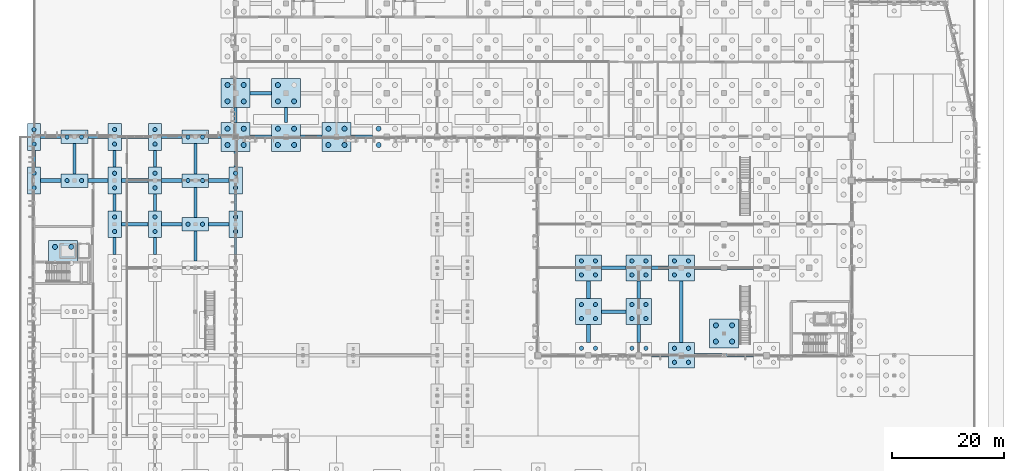
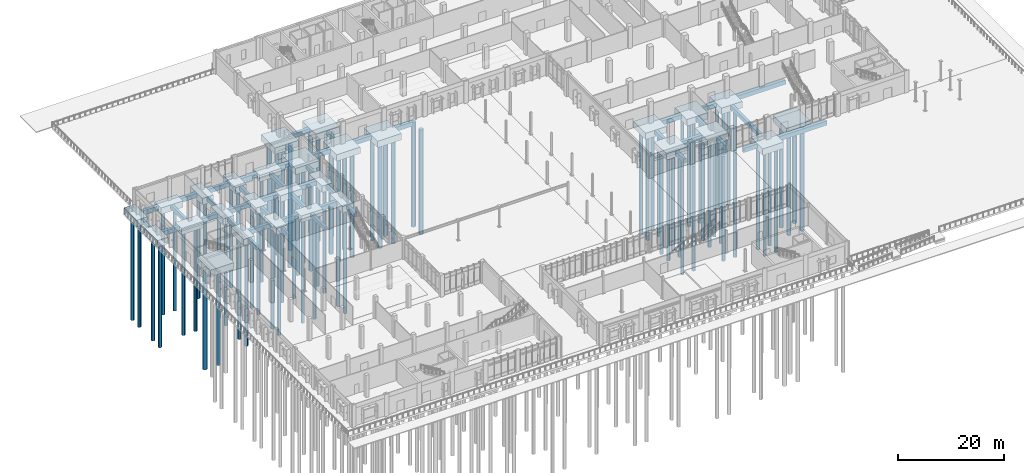
# One storey, part 8 of 94: 85 piles, 72 footings.
"""IFC4 building model written with IfcOpenShell, lengths in metres."""

from ifc_helpers import new_model, si_unit, direction, frame, origin, origin_2d, place, context, subcontext, project, spatial, rectangle, circle, extrude, material, material_profile, profile_set, type_object, element, save


model = new_model("IFC4")

# Units and contexts
model_context = context("Model", 3, precision=1e-05, world=origin(), true_north=direction((0.0, 1.0)))
body_context = subcontext(model_context, "Body", "Model", "MODEL_VIEW")
ifc_project = project(units=[si_unit("LENGTHUNIT", "METRE"), si_unit("AREAUNIT", "SQUARE_METRE"), si_unit("VOLUMEUNIT", "CUBIC_METRE"), si_unit("PLANEANGLEUNIT", "RADIAN"), si_unit("MASSUNIT", "GRAM", prefix="KILO")], contexts=[model_context])

# Site, building, storey
site_placement = place(None, origin())
site = spatial("IfcSite", under=ifc_project, at=site_placement, CompositionType="ELEMENT")
building_placement = place(site_placement, origin())
building = spatial("IfcBuilding", under=site, at=building_placement, Name="Vervanel Yard Central Library", CompositionType="ELEMENT")
storey_placement = place(building_placement, origin())
storey = spatial("IfcBuildingStorey", under=building, at=storey_placement, Name="L00", CompositionType="ELEMENT", Elevation=0.0)

# Piles
ifc_material = material(Name="Concrete C40/50", Category="concrete")
ifc_material_profile_1 = material_profile(ifc_material, circle(Radius=0.375, at=origin_2d()), Name="BP D750", Category="concrete")
ifc_profile_set_1 = profile_set([ifc_material_profile_1], Name="Concrete C40/50")
pile_type_1 = type_object("IfcPileType", Name="Bored Concrete Pile D750", PredefinedType="BORED", material=ifc_profile_set_1)
for number, where, z_axis, x_axis, name in (
    (1, (97.75, 44.449951171875, -1.75), (0.0, 0.0, -1.0), (1.0, 0.0, 0.0), "Bored Concrete Pile 291 under PCAP-071"),
    (2, (100.25, 44.449951171875, -1.75), (0.0, 0.0, -1.0), (1.0, 0.0, 0.0), "Bored Concrete Pile 292 under PCAP-071"),
    (3, (97.75, 49.75, -1.75), (0.0, 0.0, -1.0), (1.0, 0.0, 0.0), "Bored Concrete Pile 293 under PCAP-072"),
    (4, (100.25, 49.75, -1.75), (0.0, 0.0, -1.0), (1.0, 0.0, 0.0), "Bored Concrete Pile 294 under PCAP-072"),
    (5, (97.75, 52.25, -1.75), (0.0, 0.0, -1.0), (1.0, 0.0, 0.0), "Bored Concrete Pile 295 under PCAP-072"),
    (6, (100.25, 52.25, -1.75), (0.0, 0.0, -1.0), (1.0, 0.0, 0.0), "Bored Concrete Pile 296 under PCAP-072"),
    (7, (97.75, 57.550048828125, -1.75), (0.0, 0.0, -1.0), (1.0, 0.0, 0.0), "Bored Concrete Pile 297 under PCAP-073"),
    (8, (100.25, 57.550048828125, -1.75), (0.0, 0.0, -1.0), (1.0, 0.0, 0.0), "Bored Concrete Pile 298 under PCAP-073"),
    (9, (97.75, 60.050048828125, -1.75), (0.0, 0.0, -1.0), (1.0, 0.0, 0.0), "Bored Concrete Pile 299 under PCAP-073"),
    (10, (100.25, 60.050048828125, -1.75), (0.0, 0.0, -1.0), (1.0, 0.0, 0.0), "Bored Concrete Pile 300 under PCAP-073"),
    (11, (106.75, 44.449951171875, -1.75), (0.0, 0.0, -1.0), (1.0, 0.0, 0.0), "Bored Concrete Pile 315 under PCAP-077"),
    (12, (109.25, 44.449951171875, -1.75), (0.0, 0.0, -1.0), (1.0, 0.0, 0.0), "Bored Concrete Pile 316 under PCAP-077"),
    (13, (106.75, 49.75, -1.75), (0.0, 0.0, -1.0), (1.0, 0.0, 0.0), "Bored Concrete Pile 317 under PCAP-078"),
    (14, (109.25, 49.75, -1.75), (0.0, 0.0, -1.0), (1.0, 0.0, 0.0), "Bored Concrete Pile 318 under PCAP-078"),
    (15, (106.75, 52.25, -1.75), (0.0, 0.0, -1.0), (1.0, 0.0, 0.0), "Bored Concrete Pile 319 under PCAP-078"),
    (16, (109.25, 52.25, -1.75), (0.0, 0.0, -1.0), (1.0, 0.0, 0.0), "Bored Concrete Pile 320 under PCAP-078"),
    (17, (106.75, 57.550048828125, -1.75), (0.0, 0.0, -1.0), (1.0, 0.0, 0.0), "Bored Concrete Pile 321 under PCAP-079"),
    (18, (109.25, 57.550048828125, -1.75), (0.0, 0.0, -1.0), (1.0, 0.0, 0.0), "Bored Concrete Pile 322 under PCAP-079"),
    (19, (106.75, 60.050048828125, -1.75), (0.0, 0.0, -1.0), (1.0, 0.0, 0.0), "Bored Concrete Pile 323 under PCAP-079"),
    (20, (109.25, 60.050048828125, -1.75), (0.0, 0.0, -1.0), (1.0, 0.0, 0.0), "Bored Concrete Pile 324 under PCAP-079"),
    (21, (114.35009765625, 41.949951171875, -1.75), (0.0, 0.0, -1.0), (1.0, 0.0, 0.0), "Bored Concrete Pile 337 under PCAP-083"),
    (22, (116.85009765625, 41.949951171875, -1.75), (0.0, 0.0, -1.0), (1.0, 0.0, 0.0), "Bored Concrete Pile 338 under PCAP-083"),
    (23, (114.35009765625, 44.449951171875, -1.75), (0.0, 0.0, -1.0), (1.0, 0.0, 0.0), "Bored Concrete Pile 339 under PCAP-083"),
    (24, (116.85009765625, 44.449951171875, -1.75), (0.0, 0.0, -1.0), (1.0, 0.0, 0.0), "Bored Concrete Pile 340 under PCAP-083"),
    (25, (114.35009765625, 57.550048828125, -1.75), (0.0, 0.0, -1.0), (1.0, 0.0, 0.0), "Bored Concrete Pile 341 under PCAP-084"),
    (26, (116.85009765625, 57.550048828125, -1.75), (0.0, 0.0, -1.0), (1.0, 0.0, 0.0), "Bored Concrete Pile 342 under PCAP-084"),
    (27, (114.35009765625, 60.050048828125, -1.75), (0.0, 0.0, -1.0), (1.0, 0.0, 0.0), "Bored Concrete Pile 343 under PCAP-084"),
    (28, (116.85009765625, 60.050048828125, -1.75), (0.0, 0.0, -1.0), (1.0, 0.0, 0.0), "Bored Concrete Pile 344 under PCAP-084"),
    (29, (0.0, 73.10009765625, -1.75), (0.0, 0.0, -1.0), (1.0, 0.0, 0.0), "Bored Concrete Pile 419 under PCAP-107"),
    (30, (0.0, 75.699951171875, -1.75), (0.0, 0.0, -1.0), (1.0, 0.0, 0.0), "Bored Concrete Pile 420 under PCAP-107"),
    (31, (0.0, 80.89990234375, -1.75), (0.0, 0.0, -1.0), (1.0, 0.0, 0.0), "Bored Concrete Pile 421 under PCAP-108"),
    (32, (0.0, 83.5, -1.75), (0.0, 0.0, -1.0), (1.0, 0.0, 0.0), "Bored Concrete Pile 422 under PCAP-108"),
    (33, (14.39990234375, 65.300048828125, -1.75), (0.0, 0.0, -1.0), (1.0, 0.0, 0.0), "Bored Concrete Pile 437 under PCAP-116"),
    (34, (14.39990234375, 67.89990234375, -1.75), (0.0, 0.0, -1.0), (1.0, 0.0, 0.0), "Bored Concrete Pile 438 under PCAP-116"),
    (35, (14.39990234375, 73.10009765625, -1.75), (0.0, 0.0, -1.0), (1.0, 0.0, 0.0), "Bored Concrete Pile 439 under PCAP-117"),
    (36, (14.39990234375, 75.699951171875, -1.75), (0.0, 0.0, -1.0), (1.0, 0.0, 0.0), "Bored Concrete Pile 440 under PCAP-117"),
    (37, (14.39990234375, 80.89990234375, -1.75), (0.0, 0.0, -1.0), (1.0, 0.0, 0.0), "Bored Concrete Pile 441 under PCAP-118"),
    (38, (14.39990234375, 83.5, -1.75), (0.0, 0.0, -1.0), (1.0, 0.0, 0.0), "Bored Concrete Pile 442 under PCAP-118"),
    (39, (21.60009765625, 65.300048828125, -1.75), (0.0, 0.0, -1.0), (1.0, 0.0, 0.0), "Bored Concrete Pile 455 under PCAP-125"),
    (40, (21.60009765625, 67.89990234375, -1.75), (0.0, 0.0, -1.0), (1.0, 0.0, 0.0), "Bored Concrete Pile 456 under PCAP-125"),
    (41, (21.60009765625, 73.10009765625, -1.75), (0.0, 0.0, -1.0), (1.0, 0.0, 0.0), "Bored Concrete Pile 457 under PCAP-126"),
    (42, (21.60009765625, 75.699951171875, -1.75), (0.0, 0.0, -1.0), (1.0, 0.0, 0.0), "Bored Concrete Pile 458 under PCAP-126"),
    (43, (21.60009765625, 80.89990234375, -1.75), (0.0, 0.0, -1.0), (1.0, 0.0, 0.0), "Bored Concrete Pile 459 under PCAP-127"),
    (44, (21.60009765625, 83.5, -1.75), (0.0, 0.0, -1.0), (1.0, 0.0, 0.0), "Bored Concrete Pile 460 under PCAP-127"),
    (45, (36.0, 65.300048828125, -1.75), (0.0, 0.0, -1.0), (1.0, 0.0, 0.0), "Bored Concrete Pile 479 under PCAP-137"),
    (46, (36.0, 67.89990234375, -1.75), (0.0, 0.0, -1.0), (1.0, 0.0, 0.0), "Bored Concrete Pile 480 under PCAP-137"),
    (47, (36.0, 73.10009765625, -1.75), (0.0, 0.0, -1.0), (1.0, 0.0, 0.0), "Bored Concrete Pile 481 under PCAP-138"),
    (48, (36.0, 75.699951171875, -1.75), (0.0, 0.0, -1.0), (1.0, 0.0, 0.0), "Bored Concrete Pile 482 under PCAP-138"),
    (49, (5.89990234375, 74.39990234375, -1.75), (0.0, 0.0, -1.0), (1.0, 0.0, 0.0), "Bored Concrete Pile 549 under PCAP-172"),
    (50, (8.5, 74.39990234375, -1.75), (0.0, 0.0, -1.0), (1.0, 0.0, 0.0), "Bored Concrete Pile 550 under PCAP-172"),
    (51, (5.89990234375, 82.199951171875, -1.75), (0.0, 0.0, -1.0), (1.0, 0.0, 0.0), "Bored Concrete Pile 551 under PCAP-173"),
    (52, (8.5, 82.199951171875, -1.75), (0.0, 0.0, -1.0), (1.0, 0.0, 0.0), "Bored Concrete Pile 552 under PCAP-173"),
    (53, (27.5, 66.60009765625, -1.75), (0.0, 0.0, -1.0), (1.0, 0.0, 0.0), "Bored Concrete Pile 569 under PCAP-182"),
    (54, (30.10009765625, 66.60009765625, -1.75), (0.0, 0.0, -1.0), (1.0, 0.0, 0.0), "Bored Concrete Pile 570 under PCAP-182"),
    (55, (27.5, 74.39990234375, -1.75), (0.0, 0.0, -1.0), (1.0, 0.0, 0.0), "Bored Concrete Pile 571 under PCAP-183"),
    (56, (30.10009765625, 74.39990234375, -1.75), (0.0, 0.0, -1.0), (1.0, 0.0, 0.0), "Bored Concrete Pile 572 under PCAP-183"),
    (57, (27.5, 82.199951171875, -1.75), (0.0, 0.0, -1.0), (1.0, 0.0, 0.0), "Bored Concrete Pile 573 under PCAP-184"),
    (58, (30.10009765625, 82.199951171875, -1.75), (0.0, 0.0, -1.0), (1.0, 0.0, 0.0), "Bored Concrete Pile 574 under PCAP-184"),
):
    element("IfcPile", number, at=place(storey_placement, frame(where, z_axis=z_axis, x_axis=x_axis)), inside=storey, type_object=pile_type_1, Name=name, PredefinedType="BORED", context=body_context, shape_type="SweptSolid", body=[
        extrude(circle(Radius=0.375, at=origin_2d()), origin(), (0.0, 0.0, 1.0), 24.25),
    ])
ifc_material_profile_2 = material_profile(ifc_material, circle(Radius=0.449951171875, at=origin_2d()), Name="BP D900", Category="concrete")
ifc_profile_set_2 = profile_set([ifc_material_profile_2], Name="Concrete C40/50")
pile_type_2 = type_object("IfcPileType", Name="Bored Concrete Pile D900", PredefinedType="BORED", material=ifc_profile_set_2)
for number, where, z_axis, x_axis, name in (
    (59, (3.75, 62.550048828125, -1.75), (0.0, 0.0, -1.0), (1.0, 0.0, 0.0), "Bored Concrete Pile 27 under PCAP-005"),
    (60, (6.64990234375, 62.550048828125, -1.75), (0.0, 0.0, -1.0), (1.0, 0.0, 0.0), "Bored Concrete Pile 28 under PCAP-005"),
    (61, (34.550048828125, 80.75, -1.75), (0.0, 0.0, -1.0), (1.0, 0.0, 0.0), "Bored Concrete Pile 33 under PCAP-007"),
    (62, (37.449951171875, 80.75, -1.75), (0.0, 0.0, -1.0), (1.0, 0.0, 0.0), "Bored Concrete Pile 34 under PCAP-007"),
    (63, (34.550048828125, 83.64990234375, -1.75), (0.0, 0.0, -1.0), (1.0, 0.0, 0.0), "Bored Concrete Pile 35 under PCAP-007"),
    (64, (37.449951171875, 83.64990234375, -1.75), (0.0, 0.0, -1.0), (1.0, 0.0, 0.0), "Bored Concrete Pile 36 under PCAP-007"),
    (65, (34.550048828125, 88.550048828125, -1.75), (0.0, 0.0, -1.0), (1.0, 0.0, 0.0), "Bored Concrete Pile 37 under PCAP-008"),
    (66, (37.449951171875, 88.550048828125, -1.75), (0.0, 0.0, -1.0), (1.0, 0.0, 0.0), "Bored Concrete Pile 38 under PCAP-008"),
    (67, (34.550048828125, 91.449951171875, -1.75), (0.0, 0.0, -1.0), (1.0, 0.0, 0.0), "Bored Concrete Pile 39 under PCAP-008"),
    (68, (37.449951171875, 91.449951171875, -1.75), (0.0, 0.0, -1.0), (1.0, 0.0, 0.0), "Bored Concrete Pile 40 under PCAP-008"),
    (69, (43.550048828125, 80.75, -1.75), (0.0, 0.0, -1.0), (1.0, 0.0, 0.0), "Bored Concrete Pile 49 under PCAP-011"),
    (70, (46.449951171875, 80.75, -1.75), (0.0, 0.0, -1.0), (1.0, 0.0, 0.0), "Bored Concrete Pile 50 under PCAP-011"),
    (71, (43.550048828125, 83.64990234375, -1.75), (0.0, 0.0, -1.0), (1.0, 0.0, 0.0), "Bored Concrete Pile 51 under PCAP-011"),
    (72, (46.449951171875, 83.64990234375, -1.75), (0.0, 0.0, -1.0), (1.0, 0.0, 0.0), "Bored Concrete Pile 52 under PCAP-011"),
    (73, (43.550048828125, 88.550048828125, -1.75), (0.0, 0.0, -1.0), (1.0, 0.0, 0.0), "Bored Concrete Pile 53 under PCAP-012"),
    (74, (46.449951171875, 88.550048828125, -1.75), (0.0, 0.0, -1.0), (1.0, 0.0, 0.0), "Bored Concrete Pile 54 under PCAP-012"),
    (75, (43.550048828125, 91.449951171875, -1.75), (0.0, 0.0, -1.0), (1.0, 0.0, 0.0), "Bored Concrete Pile 55 under PCAP-012"),
    (76, (52.550048828125, 80.75, -1.75), (0.0, 0.0, -1.0), (1.0, 0.0, 0.0), "Bored Concrete Pile 69 under PCAP-016"),
    (77, (55.449951171875, 80.75, -1.75), (0.0, 0.0, -1.0), (1.0, 0.0, 0.0), "Bored Concrete Pile 70 under PCAP-016"),
    (78, (52.550048828125, 83.64990234375, -1.75), (0.0, 0.0, -1.0), (1.0, 0.0, 0.0), "Bored Concrete Pile 71 under PCAP-016"),
    (79, (55.449951171875, 83.64990234375, -1.75), (0.0, 0.0, -1.0), (1.0, 0.0, 0.0), "Bored Concrete Pile 72 under PCAP-016"),
    (80, (61.550048828125, 80.75, -1.75), (0.0, 0.0, -1.0), (1.0, 0.0, 0.0), "Bored Concrete Pile 81 under PCAP-019"),
    (81, (61.550048828125, 83.64990234375, -1.75), (0.0, 0.0, -1.0), (1.0, 0.0, 0.0), "Bored Concrete Pile 83 under PCAP-019"),
    (82, (121.75, 45.64990234375, -1.75), (0.0, 0.0, -1.0), (1.0, 0.0, 0.0), "Bored Concrete Pile 197 under PCAP-048"),
    (83, (124.64990234375, 45.64990234375, -1.75), (0.0, 0.0, -1.0), (1.0, 0.0, 0.0), "Bored Concrete Pile 198 under PCAP-048"),
    (84, (121.75, 48.550048828125, -1.75), (0.0, 0.0, -1.0), (1.0, 0.0, 0.0), "Bored Concrete Pile 199 under PCAP-048"),
    (85, (124.64990234375, 48.550048828125, -1.75), (0.0, 0.0, -1.0), (1.0, 0.0, 0.0), "Bored Concrete Pile 200 under PCAP-048"),
):
    element("IfcPile", number, at=place(storey_placement, frame(where, z_axis=z_axis, x_axis=x_axis)), inside=storey, type_object=pile_type_2, Name=name, PredefinedType="BORED", context=body_context, shape_type="SweptSolid", body=[
        extrude(circle(Radius=0.449951171875, at=origin_2d()), origin(), (0.0, 0.0, 1.0), 24.25),
    ])

# Footings
footing_type_1 = type_object("IfcFootingType", Name="Combined 2-Pile Cap 2400x4800x1500", PredefinedType="PILE_CAP", material=ifc_material)
for number, where, z_axis, x_axis, name in (
    (86, (0.0, 74.39990234375, -1.89990234375), (0.0, 0.0, 1.0), (1.0, 0.0, 0.0), "Combined Pile Cap PCAP-107 (PC-01)"),
    (87, (0.0, 82.199951171875, -1.89990234375), (0.0, 0.0, 1.0), (1.0, 0.0, 0.0), "Combined Pile Cap PCAP-108 (PC-01)"),
    (88, (14.39990234375, 66.60009765625, -1.89990234375), (0.0, 0.0, 1.0), (1.0, 0.0, 0.0), "Combined Pile Cap PCAP-116 (PC-01)"),
    (89, (14.39990234375, 74.39990234375, -1.89990234375), (0.0, 0.0, 1.0), (1.0, 0.0, 0.0), "Combined Pile Cap PCAP-117 (PC-01)"),
    (90, (14.39990234375, 82.199951171875, -1.89990234375), (0.0, 0.0, 1.0), (1.0, 0.0, 0.0), "Combined Pile Cap PCAP-118 (PC-01)"),
    (91, (21.60009765625, 66.60009765625, -1.89990234375), (0.0, 0.0, 1.0), (1.0, 0.0, 0.0), "Combined Pile Cap PCAP-125 (PC-01)"),
    (92, (21.60009765625, 74.39990234375, -1.89990234375), (0.0, 0.0, 1.0), (1.0, 0.0, 0.0), "Combined Pile Cap PCAP-126 (PC-01)"),
    (93, (21.60009765625, 82.199951171875, -1.89990234375), (0.0, 0.0, 1.0), (1.0, 0.0, 0.0), "Combined Pile Cap PCAP-127 (PC-01)"),
    (94, (36.0, 66.60009765625, -1.89990234375), (0.0, 0.0, 1.0), (1.0, 0.0, 0.0), "Combined Pile Cap PCAP-137 (PC-01)"),
    (95, (36.0, 74.39990234375, -1.89990234375), (0.0, 0.0, 1.0), (1.0, 0.0, 0.0), "Combined Pile Cap PCAP-138 (PC-01)"),
):
    element("IfcFooting", number, at=place(storey_placement, frame(where, z_axis=z_axis, x_axis=x_axis)), inside=storey, type_object=footing_type_1, Name=name, PredefinedType="PILE_CAP", context=body_context, shape_type="SweptSolid", body=[
        extrude(rectangle(XDim=2.39990234375, YDim=4.800048828125, at=origin_2d()), origin(), (0.0, 0.0, 1.0), 1.5),
    ])
footing_type_2 = type_object("IfcFootingType", Name="Combined 2-Pile Cap 4800x2400x1500", PredefinedType="PILE_CAP", material=ifc_material)
for number, where, z_axis, x_axis, name in (
    (96, (7.199951171875, 74.39990234375, -1.89990234375), (0.0, 0.0, 1.0), (1.0, 0.0, 0.0), "Combined Pile Cap PCAP-172 (PC-02)"),
    (97, (7.199951171875, 82.199951171875, -1.89990234375), (0.0, 0.0, 1.0), (1.0, 0.0, 0.0), "Combined Pile Cap PCAP-173 (PC-02)"),
    (98, (28.800048828125, 66.60009765625, -1.89990234375), (0.0, 0.0, 1.0), (1.0, 0.0, 0.0), "Combined Pile Cap PCAP-182 (PC-02)"),
    (99, (28.800048828125, 74.39990234375, -1.89990234375), (0.0, 0.0, 1.0), (1.0, 0.0, 0.0), "Combined Pile Cap PCAP-183 (PC-02)"),
    (100, (28.800048828125, 82.199951171875, -1.89990234375), (0.0, 0.0, 1.0), (1.0, 0.0, 0.0), "Combined Pile Cap PCAP-184 (PC-02)"),
):
    element("IfcFooting", number, at=place(storey_placement, frame(where, z_axis=z_axis, x_axis=x_axis)), inside=storey, type_object=footing_type_2, Name=name, PredefinedType="PILE_CAP", context=body_context, shape_type="SweptSolid", body=[
        extrude(rectangle(XDim=4.800048828125, YDim=2.39990234375, at=origin_2d()), origin(), (0.0, 0.0, 1.0), 1.5),
    ])
footing_type_3 = type_object("IfcFootingType", Name="Combined 4-Pile Cap 4600x4600x1500", PredefinedType="PILE_CAP", material=ifc_material)
for number, where, z_axis, x_axis, name in (
    (101, (99.0, 51.0, -1.89990234375), (0.0, 0.0, 1.0), (1.0, 0.0, 0.0), "Combined Pile Cap PCAP-072 (PC-03)"),
    (102, (99.0, 58.800048828125, -1.89990234375), (0.0, 0.0, 1.0), (1.0, 0.0, 0.0), "Combined Pile Cap PCAP-073 (PC-03)"),
    (103, (108.0, 51.0, -1.89990234375), (0.0, 0.0, 1.0), (1.0, 0.0, 0.0), "Combined Pile Cap PCAP-078 (PC-03)"),
    (104, (108.0, 58.800048828125, -1.89990234375), (0.0, 0.0, 1.0), (1.0, 0.0, 0.0), "Combined Pile Cap PCAP-079 (PC-03)"),
    (105, (115.60009765625, 43.199951171875, -1.89990234375), (0.0, 0.0, 1.0), (1.0, 0.0, 0.0), "Combined Pile Cap PCAP-083 (PC-03)"),
    (106, (115.60009765625, 58.800048828125, -1.89990234375), (0.0, 0.0, 1.0), (1.0, 0.0, 0.0), "Combined Pile Cap PCAP-084 (PC-03)"),
):
    element("IfcFooting", number, at=place(storey_placement, frame(where, z_axis=z_axis, x_axis=x_axis)), inside=storey, type_object=footing_type_3, Name=name, PredefinedType="PILE_CAP", context=body_context, shape_type="SweptSolid", body=[
        extrude(rectangle(XDim=4.60009765625, YDim=4.60009765625, at=origin_2d()), origin(), (0.0, 0.0, 1.0), 1.5),
    ])
footing_type_4 = type_object("IfcFootingType", Name="Combined 4-Pile Heavy Cap 5200x5200x1500", PredefinedType="PILE_CAP", material=ifc_material)
for number, where, z_axis, x_axis, name in (
    (107, (5.199951171875, 61.10009765625, -1.89990234375), (0.0, 0.0, 1.0), (1.0, 0.0, 0.0), "Combined Pile Cap PCAP-005 (PC-04)"),
    (108, (36.0, 82.199951171875, -1.89990234375), (0.0, 0.0, 1.0), (1.0, 0.0, 0.0), "Combined Pile Cap PCAP-007 (PC-04)"),
    (109, (36.0, 90.0, -1.89990234375), (0.0, 0.0, 1.0), (1.0, 0.0, 0.0), "Combined Pile Cap PCAP-008 (PC-04)"),
    (110, (45.0, 82.199951171875, -1.89990234375), (0.0, 0.0, 1.0), (1.0, 0.0, 0.0), "Combined Pile Cap PCAP-011 (PC-04)"),
    (111, (45.0, 90.0, -1.89990234375), (0.0, 0.0, 1.0), (1.0, 0.0, 0.0), "Combined Pile Cap PCAP-012 (PC-04)"),
    (112, (54.0, 82.199951171875, -1.89990234375), (0.0, 0.0, 1.0), (1.0, 0.0, 0.0), "Combined Pile Cap PCAP-016 (PC-04)"),
    (113, (123.199951171875, 47.10009765625, -1.89990234375), (0.0, 0.0, 1.0), (1.0, 0.0, 0.0), "Combined Pile Cap PCAP-048 (PC-04)"),
):
    element("IfcFooting", number, at=place(storey_placement, frame(where, z_axis=z_axis, x_axis=x_axis)), inside=storey, type_object=footing_type_4, Name=name, PredefinedType="PILE_CAP", context=body_context, shape_type="SweptSolid", body=[
        extrude(rectangle(XDim=5.199951171875, YDim=5.199951171875, at=origin_2d()), origin(), (0.0, 0.0, 1.0), 1.5),
    ])
ifc_material_profile_3 = material_profile(ifc_material, rectangle(XDim=0.550048828125, YDim=0.89990234375, at=origin_2d()), Name="RC 550x900", Category="concrete")
ifc_profile_set_3 = profile_set([ifc_material_profile_3], Name="Concrete C40/50")
footing_type_5 = type_object("IfcFootingType", Name="Concrete Footing Beam 550x900", PredefinedType="FOOTING_BEAM", material=ifc_profile_set_3)
footing_1_placement = place(storey_placement, frame((0.0, 76.800048828125, -0.8701171875), z_axis=(0.0, 1.0, 0.0), x_axis=(-1.0, 0.0, 0.0)))
element("IfcFooting", 114, at=footing_1_placement, inside=storey, type_object=footing_type_5, Name="Concrete Footing Beam FB-Y-149", PredefinedType="FOOTING_BEAM", context=body_context, shape_type="SweptSolid", body=[
    extrude(rectangle(XDim=0.550048828125, YDim=0.89990234375, at=origin_2d()), origin(), (0.0, 0.0, 1.0), 3.0),
])
footing_2_placement = place(storey_placement, frame((7.199951171875, 75.60009765625, -0.8701171875), z_axis=(0.0, 1.0, 0.0), x_axis=(-1.0, 0.0, 0.0)))
element("IfcFooting", 115, at=footing_2_placement, inside=storey, type_object=footing_type_5, Name="Concrete Footing Beam FB-Y-157", PredefinedType="FOOTING_BEAM", context=body_context, shape_type="SweptSolid", body=[
    extrude(rectangle(XDim=0.550048828125, YDim=0.89990234375, at=origin_2d()), origin(), (0.0, 0.0, 1.0), 5.39990234375),
])
for number, where, z_axis, x_axis, name in (
    (116, (14.39990234375, 61.199951171875, -0.8701171875), (0.0, 1.0, 0.0), (-1.0, 0.0, 0.0), "Concrete Footing Beam FB-Y-164"),
    (117, (14.39990234375, 69.0, -0.8701171875), (0.0, 1.0, 0.0), (-1.0, 0.0, 0.0), "Concrete Footing Beam FB-Y-165"),
    (118, (14.39990234375, 76.800048828125, -0.8701171875), (0.0, 1.0, 0.0), (-1.0, 0.0, 0.0), "Concrete Footing Beam FB-Y-166"),
    (119, (21.60009765625, 61.199951171875, -0.8701171875), (0.0, 1.0, 0.0), (-1.0, 0.0, 0.0), "Concrete Footing Beam FB-Y-172"),
    (120, (21.60009765625, 69.0, -0.8701171875), (0.0, 1.0, 0.0), (-1.0, 0.0, 0.0), "Concrete Footing Beam FB-Y-173"),
    (121, (21.60009765625, 76.800048828125, -0.8701171875), (0.0, 1.0, 0.0), (-1.0, 0.0, 0.0), "Concrete Footing Beam FB-Y-174"),
):
    element("IfcFooting", number, at=place(storey_placement, frame(where, z_axis=z_axis, x_axis=x_axis)), inside=storey, type_object=footing_type_5, Name=name, PredefinedType="FOOTING_BEAM", context=body_context, shape_type="SweptSolid", body=[
        extrude(rectangle(XDim=0.550048828125, YDim=0.89990234375, at=origin_2d()), origin(), (0.0, 0.0, 1.0), 3.0),
    ])
for number, where, z_axis, x_axis, name in (
    (122, (28.800048828125, 60.0, -0.8701171875), (0.0, 1.0, 0.0), (-1.0, 0.0, 0.0), "Concrete Footing Beam FB-Y-182"),
    (123, (28.800048828125, 67.800048828125, -0.8701171875), (0.0, 1.0, 0.0), (-1.0, 0.0, 0.0), "Concrete Footing Beam FB-Y-183"),
    (124, (28.800048828125, 75.60009765625, -0.8701171875), (0.0, 1.0, 0.0), (-1.0, 0.0, 0.0), "Concrete Footing Beam FB-Y-184"),
):
    element("IfcFooting", number, at=place(storey_placement, frame(where, z_axis=z_axis, x_axis=x_axis)), inside=storey, type_object=footing_type_5, Name=name, PredefinedType="FOOTING_BEAM", context=body_context, shape_type="SweptSolid", body=[
        extrude(rectangle(XDim=0.550048828125, YDim=0.89990234375, at=origin_2d()), origin(), (0.0, 0.0, 1.0), 5.39990234375),
    ])
for number, where, z_axis, x_axis, name in (
    (125, (36.0, 61.199951171875, -0.8701171875), (0.0, 1.0, 0.0), (-1.0, 0.0, 0.0), "Concrete Footing Beam FB-Y-191"),
    (126, (36.0, 69.0, -0.8701171875), (0.0, 1.0, 0.0), (-1.0, 0.0, 0.0), "Concrete Footing Beam FB-Y-192"),
):
    element("IfcFooting", number, at=place(storey_placement, frame(where, z_axis=z_axis, x_axis=x_axis)), inside=storey, type_object=footing_type_5, Name=name, PredefinedType="FOOTING_BEAM", context=body_context, shape_type="SweptSolid", body=[
        extrude(rectangle(XDim=0.550048828125, YDim=0.89990234375, at=origin_2d()), origin(), (0.0, 0.0, 1.0), 3.0),
    ])
footing_3_placement = place(storey_placement, frame((36.0, 76.800048828125, -0.8701171875), z_axis=(0.0, 1.0, 0.0), x_axis=(-1.0, 0.0, 0.0)))
element("IfcFooting", 127, at=footing_3_placement, inside=storey, type_object=footing_type_5, Name="Concrete Footing Beam FB-Y-193", PredefinedType="FOOTING_BEAM", context=body_context, shape_type="SweptSolid", body=[
    extrude(rectangle(XDim=0.550048828125, YDim=0.89990234375, at=origin_2d()), origin(), (0.0, 0.0, 1.0), 2.800048828125),
])
for number, where, z_axis, x_axis, name in (
    (128, (36.0, 84.800048828125, -0.8701171875), (0.0, 1.0, 0.0), (-1.0, 0.0, 0.0), "Concrete Footing Beam FB-Y-194"),
    (129, (45.0, 84.800048828125, -0.8701171875), (0.0, 1.0, 0.0), (-1.0, 0.0, 0.0), "Concrete Footing Beam FB-Y-201"),
):
    element("IfcFooting", number, at=place(storey_placement, frame(where, z_axis=z_axis, x_axis=x_axis)), inside=storey, type_object=footing_type_5, Name=name, PredefinedType="FOOTING_BEAM", context=body_context, shape_type="SweptSolid", body=[
        extrude(rectangle(XDim=0.550048828125, YDim=0.89990234375, at=origin_2d()), origin(), (0.0, 0.0, 1.0), 2.599853515625),
    ])
ifc_material_profile_4 = material_profile(ifc_material, rectangle(XDim=0.64990234375, YDim=1.0, at=origin_2d()), Name="RC 650x1000", Category="concrete")
ifc_profile_set_4 = profile_set([ifc_material_profile_4], Name="Concrete C40/50")
footing_type_6 = type_object("IfcFootingType", Name="Concrete Footing Beam 650x1000", PredefinedType="FOOTING_BEAM", material=ifc_profile_set_4)
footing_4_placement = place(storey_placement, frame((110.300048828125, 43.199951171875, -0.919921875), z_axis=(1.0, 0.0, 0.0), x_axis=(0.0, 1.0, 0.0)))
element("IfcFooting", 130, at=footing_4_placement, inside=storey, type_object=footing_type_6, Name="Concrete Footing Beam FB-X-053", PredefinedType="FOOTING_BEAM", context=body_context, shape_type="SweptSolid", body=[
    extrude(rectangle(XDim=0.64990234375, YDim=1.0, at=origin_2d()), origin(), (0.0, 0.0, 1.0), 3.0),
])
footing_5_placement = place(storey_placement, frame((117.89990234375, 43.199951171875, -0.919921875), z_axis=(1.0, 0.0, 0.0), x_axis=(0.0, 1.0, 0.0)))
element("IfcFooting", 131, at=footing_5_placement, inside=storey, type_object=footing_type_6, Name="Concrete Footing Beam FB-X-054", PredefinedType="FOOTING_BEAM", context=body_context, shape_type="SweptSolid", body=[
    extrude(rectangle(XDim=0.64990234375, YDim=1.0, at=origin_2d()), origin(), (0.0, 0.0, 1.0), 10.60009765625),
])
for number, where, z_axis, x_axis, name in (
    (132, (101.300048828125, 51.0, -0.919921875), (1.0, 0.0, 0.0), (0.0, 1.0, 0.0), "Concrete Footing Beam FB-X-058"),
    (133, (101.300048828125, 58.800048828125, -0.919921875), (1.0, 0.0, 0.0), (0.0, 1.0, 0.0), "Concrete Footing Beam FB-X-063"),
):
    element("IfcFooting", number, at=place(storey_placement, frame(where, z_axis=z_axis, x_axis=x_axis)), inside=storey, type_object=footing_type_6, Name=name, PredefinedType="FOOTING_BEAM", context=body_context, shape_type="SweptSolid", body=[
        extrude(rectangle(XDim=0.64990234375, YDim=1.0, at=origin_2d()), origin(), (0.0, 0.0, 1.0), 4.39990234375),
    ])
footing_6_placement = place(storey_placement, frame((110.300048828125, 58.800048828125, -0.919921875), z_axis=(1.0, 0.0, 0.0), x_axis=(0.0, 1.0, 0.0)))
element("IfcFooting", 134, at=footing_6_placement, inside=storey, type_object=footing_type_6, Name="Concrete Footing Beam FB-X-064", PredefinedType="FOOTING_BEAM", context=body_context, shape_type="SweptSolid", body=[
    extrude(rectangle(XDim=0.64990234375, YDim=1.0, at=origin_2d()), origin(), (0.0, 0.0, 1.0), 3.0),
])
footing_7_placement = place(storey_placement, frame((117.89990234375, 58.800048828125, -0.919921875), z_axis=(1.0, 0.0, 0.0), x_axis=(0.0, 1.0, 0.0)))
element("IfcFooting", 135, at=footing_7_placement, inside=storey, type_object=footing_type_6, Name="Concrete Footing Beam FB-X-065", PredefinedType="FOOTING_BEAM", context=body_context, shape_type="SweptSolid", body=[
    extrude(rectangle(XDim=0.64990234375, YDim=1.0, at=origin_2d()), origin(), (0.0, 0.0, 1.0), 10.60009765625),
])
footing_8_placement = place(storey_placement, frame((15.60009765625, 66.60009765625, -0.919921875), z_axis=(1.0, 0.0, 0.0), x_axis=(0.0, 1.0, 0.0)))
element("IfcFooting", 136, at=footing_8_placement, inside=storey, type_object=footing_type_6, Name="Concrete Footing Beam FB-X-067", PredefinedType="FOOTING_BEAM", context=body_context, shape_type="SweptSolid", body=[
    extrude(rectangle(XDim=0.64990234375, YDim=1.0, at=origin_2d()), origin(), (0.0, 0.0, 1.0), 4.7998046875),
])
footing_9_placement = place(storey_placement, frame((22.800048828125, 66.60009765625, -0.919921875), z_axis=(1.0, 0.0, 0.0), x_axis=(0.0, 1.0, 0.0)))
element("IfcFooting", 137, at=footing_9_placement, inside=storey, type_object=footing_type_6, Name="Concrete Footing Beam FB-X-068", PredefinedType="FOOTING_BEAM", context=body_context, shape_type="SweptSolid", body=[
    extrude(rectangle(XDim=0.64990234375, YDim=1.0, at=origin_2d()), origin(), (0.0, 0.0, 1.0), 3.599853515625),
])
for number, where, z_axis, x_axis, name in (
    (138, (31.199951171875, 66.60009765625, -0.919921875), (1.0, 0.0, 0.0), (0.0, 1.0, 0.0), "Concrete Footing Beam FB-X-069"),
    (139, (1.199951171875, 74.39990234375, -0.919921875), (1.0, 0.0, 0.0), (0.0, 1.0, 0.0), "Concrete Footing Beam FB-X-075"),
):
    element("IfcFooting", number, at=place(storey_placement, frame(where, z_axis=z_axis, x_axis=x_axis)), inside=storey, type_object=footing_type_6, Name=name, PredefinedType="FOOTING_BEAM", context=body_context, shape_type="SweptSolid", body=[
        extrude(rectangle(XDim=0.64990234375, YDim=1.0, at=origin_2d()), origin(), (0.0, 0.0, 1.0), 3.60009765625),
    ])
footing_10_placement = place(storey_placement, frame((9.60009765625, 74.39990234375, -0.919921875), z_axis=(1.0, 0.0, 0.0), x_axis=(0.0, 1.0, 0.0)))
element("IfcFooting", 140, at=footing_10_placement, inside=storey, type_object=footing_type_6, Name="Concrete Footing Beam FB-X-076", PredefinedType="FOOTING_BEAM", context=body_context, shape_type="SweptSolid", body=[
    extrude(rectangle(XDim=0.64990234375, YDim=1.0, at=origin_2d()), origin(), (0.0, 0.0, 1.0), 3.599853515625),
])
footing_11_placement = place(storey_placement, frame((15.60009765625, 74.39990234375, -0.919921875), z_axis=(1.0, 0.0, 0.0), x_axis=(0.0, 1.0, 0.0)))
element("IfcFooting", 141, at=footing_11_placement, inside=storey, type_object=footing_type_6, Name="Concrete Footing Beam FB-X-077", PredefinedType="FOOTING_BEAM", context=body_context, shape_type="SweptSolid", body=[
    extrude(rectangle(XDim=0.64990234375, YDim=1.0, at=origin_2d()), origin(), (0.0, 0.0, 1.0), 4.7998046875),
])
footing_12_placement = place(storey_placement, frame((22.800048828125, 74.39990234375, -0.919921875), z_axis=(1.0, 0.0, 0.0), x_axis=(0.0, 1.0, 0.0)))
element("IfcFooting", 142, at=footing_12_placement, inside=storey, type_object=footing_type_6, Name="Concrete Footing Beam FB-X-078", PredefinedType="FOOTING_BEAM", context=body_context, shape_type="SweptSolid", body=[
    extrude(rectangle(XDim=0.64990234375, YDim=1.0, at=origin_2d()), origin(), (0.0, 0.0, 1.0), 3.599853515625),
])
for number, where, z_axis, x_axis, name in (
    (143, (31.199951171875, 74.39990234375, -0.919921875), (1.0, 0.0, 0.0), (0.0, 1.0, 0.0), "Concrete Footing Beam FB-X-079"),
    (144, (1.199951171875, 82.199951171875, -0.919921875), (1.0, 0.0, 0.0), (0.0, 1.0, 0.0), "Concrete Footing Beam FB-X-092"),
):
    element("IfcFooting", number, at=place(storey_placement, frame(where, z_axis=z_axis, x_axis=x_axis)), inside=storey, type_object=footing_type_6, Name=name, PredefinedType="FOOTING_BEAM", context=body_context, shape_type="SweptSolid", body=[
        extrude(rectangle(XDim=0.64990234375, YDim=1.0, at=origin_2d()), origin(), (0.0, 0.0, 1.0), 3.60009765625),
    ])
footing_13_placement = place(storey_placement, frame((9.60009765625, 82.199951171875, -0.919921875), z_axis=(1.0, 0.0, 0.0), x_axis=(0.0, 1.0, 0.0)))
element("IfcFooting", 145, at=footing_13_placement, inside=storey, type_object=footing_type_6, Name="Concrete Footing Beam FB-X-093", PredefinedType="FOOTING_BEAM", context=body_context, shape_type="SweptSolid", body=[
    extrude(rectangle(XDim=0.64990234375, YDim=1.0, at=origin_2d()), origin(), (0.0, 0.0, 1.0), 3.599853515625),
])
footing_14_placement = place(storey_placement, frame((15.60009765625, 82.199951171875, -0.919921875), z_axis=(1.0, 0.0, 0.0), x_axis=(0.0, 1.0, 0.0)))
element("IfcFooting", 146, at=footing_14_placement, inside=storey, type_object=footing_type_6, Name="Concrete Footing Beam FB-X-094", PredefinedType="FOOTING_BEAM", context=body_context, shape_type="SweptSolid", body=[
    extrude(rectangle(XDim=0.64990234375, YDim=1.0, at=origin_2d()), origin(), (0.0, 0.0, 1.0), 4.7998046875),
])
footing_15_placement = place(storey_placement, frame((22.800048828125, 82.199951171875, -0.919921875), z_axis=(1.0, 0.0, 0.0), x_axis=(0.0, 1.0, 0.0)))
element("IfcFooting", 147, at=footing_15_placement, inside=storey, type_object=footing_type_6, Name="Concrete Footing Beam FB-X-095", PredefinedType="FOOTING_BEAM", context=body_context, shape_type="SweptSolid", body=[
    extrude(rectangle(XDim=0.64990234375, YDim=1.0, at=origin_2d()), origin(), (0.0, 0.0, 1.0), 3.599853515625),
])
footing_16_placement = place(storey_placement, frame((31.199951171875, 82.199951171875, -0.919921875), z_axis=(1.0, 0.0, 0.0), x_axis=(0.0, 1.0, 0.0)))
element("IfcFooting", 148, at=footing_16_placement, inside=storey, type_object=footing_type_6, Name="Concrete Footing Beam FB-X-096", PredefinedType="FOOTING_BEAM", context=body_context, shape_type="SweptSolid", body=[
    extrude(rectangle(XDim=0.64990234375, YDim=1.0, at=origin_2d()), origin(), (0.0, 0.0, 1.0), 2.199951171875),
])
for number, where, z_axis, x_axis, name in (
    (149, (38.60009765625, 82.199951171875, -0.919921875), (1.0, 0.0, 0.0), (0.0, 1.0, 0.0), "Concrete Footing Beam FB-X-097"),
    (150, (47.60009765625, 82.199951171875, -0.919921875), (1.0, 0.0, 0.0), (0.0, 1.0, 0.0), "Concrete Footing Beam FB-X-098"),
    (151, (56.60009765625, 82.199951171875, -0.919921875), (1.0, 0.0, 0.0), (0.0, 1.0, 0.0), "Concrete Footing Beam FB-X-099"),
    (152, (38.60009765625, 90.0, -0.919921875), (1.0, 0.0, 0.0), (0.0, 1.0, 0.0), "Concrete Footing Beam FB-X-109"),
):
    element("IfcFooting", number, at=place(storey_placement, frame(where, z_axis=z_axis, x_axis=x_axis)), inside=storey, type_object=footing_type_6, Name=name, PredefinedType="FOOTING_BEAM", context=body_context, shape_type="SweptSolid", body=[
        extrude(rectangle(XDim=0.64990234375, YDim=1.0, at=origin_2d()), origin(), (0.0, 0.0, 1.0), 3.7998046875),
    ])
for number, where, z_axis, x_axis, name in (
    (153, (99.0, 45.5, -0.919921875), (0.0, 1.0, 0.0), (-1.0, 0.0, 0.0), "Concrete Footing Beam FB-Y-241"),
    (154, (99.0, 53.300048828125, -0.919921875), (0.0, 1.0, 0.0), (-1.0, 0.0, 0.0), "Concrete Footing Beam FB-Y-242"),
    (155, (108.0, 45.5, -0.919921875), (0.0, 1.0, 0.0), (-1.0, 0.0, 0.0), "Concrete Footing Beam FB-Y-251"),
    (156, (108.0, 53.300048828125, -0.919921875), (0.0, 1.0, 0.0), (-1.0, 0.0, 0.0), "Concrete Footing Beam FB-Y-252"),
):
    element("IfcFooting", number, at=place(storey_placement, frame(where, z_axis=z_axis, x_axis=x_axis)), inside=storey, type_object=footing_type_6, Name=name, PredefinedType="FOOTING_BEAM", context=body_context, shape_type="SweptSolid", body=[
        extrude(rectangle(XDim=0.64990234375, YDim=1.0, at=origin_2d()), origin(), (0.0, 0.0, 1.0), 3.199951171875),
    ])
footing_17_placement = place(storey_placement, frame((115.60009765625, 45.5, -0.919921875), z_axis=(0.0, 1.0, 0.0), x_axis=(-1.0, 0.0, 0.0)))
element("IfcFooting", 157, at=footing_17_placement, inside=storey, type_object=footing_type_6, Name="Concrete Footing Beam FB-Y-259", PredefinedType="FOOTING_BEAM", context=body_context, shape_type="SweptSolid", body=[
    extrude(rectangle(XDim=0.64990234375, YDim=1.0, at=origin_2d()), origin(), (0.0, 0.0, 1.0), 11.0),
])

save(model, "model.ifc")
